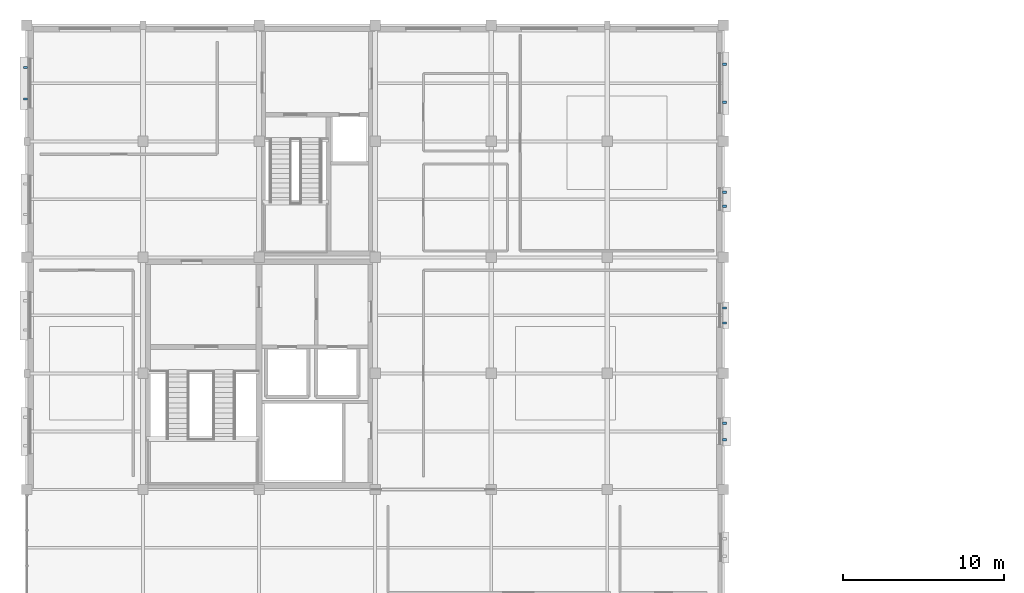
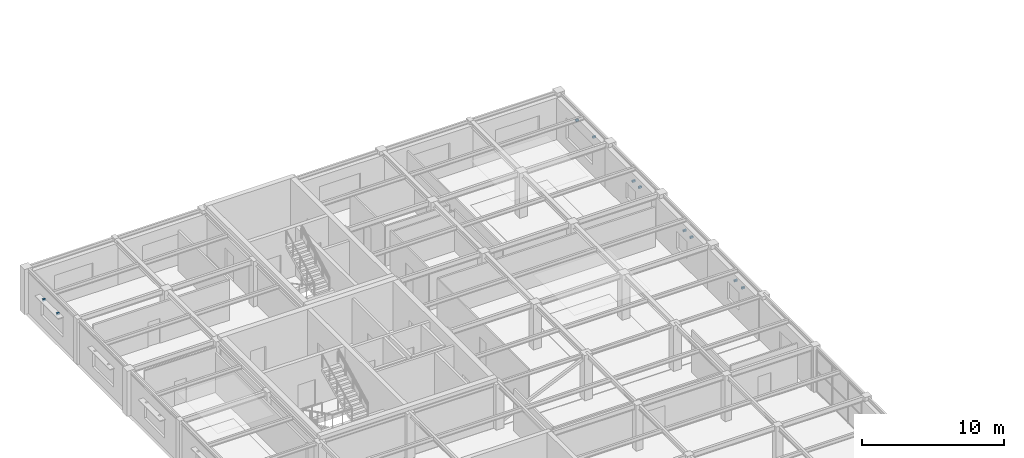
# One storey, part 74 of 83: 10 discrete accessories.
"""IFC4 building model written with IfcOpenShell, lengths in metres."""

from ifc_helpers import new_model, si_unit, direction, frame, origin, origin_2d, place, context, subcontext, project, spatial, rectangle, extrude, material, type_object, element, save


model = new_model("IFC4")

# Units and contexts
model_context = context("Model", 3, precision=1e-05, world=origin(), true_north=direction((0.0, 1.0)))
body_context = subcontext(model_context, "Body", "Model", "MODEL_VIEW")
ifc_project = project(units=[si_unit("LENGTHUNIT", "METRE"), si_unit("AREAUNIT", "SQUARE_METRE"), si_unit("VOLUMEUNIT", "CUBIC_METRE"), si_unit("PLANEANGLEUNIT", "RADIAN"), si_unit("MASSUNIT", "GRAM", prefix="KILO")], contexts=[model_context])

# Site, building, storey
site_placement = place(None, origin())
site = spatial("IfcSite", under=ifc_project, at=site_placement, CompositionType="ELEMENT")
building_placement = place(site_placement, origin())
building = spatial("IfcBuilding", under=site, at=building_placement, Name="Leyfeld Transit Interchange", CompositionType="ELEMENT")
storey_placement = place(building_placement, frame((0.0, 0.0, 5.39990234375)))
storey = spatial("IfcBuildingStorey", under=building, at=storey_placement, Name="L01", CompositionType="ELEMENT", Elevation=5.39990234375)

# Discrete accessories
ifc_material = material(Name="Galvanised steel S275JR", Category="steel")
discrete_accessory_type = type_object("IfcDiscreteAccessoryType", Name="ACC-BRK-STL", PredefinedType="BRACKET", material=ifc_material)
for number, where, z_axis, x_axis, name in (
    (1, (-0.080078125, 117.823974609375, 2.5302734375), (0.0, 0.0, 1.0), (0.0, 1.0, 0.0), "Solar Fin Bracket 015L"),
    (2, (-0.080078125, 119.77587890625, 2.5302734375), (0.0, 0.0, 1.0), (0.0, 1.0, 0.0), "Solar Fin Bracket 015R"),
    (3, (43.280029296875, 119.98388671875, 2.63037109375), (0.0, 0.0, 1.0), (0.0, -1.0, 0.0), "Solar Fin Bracket 016L"),
    (4, (43.280029296875, 117.615966796875, 2.63037109375), (0.0, 0.0, 1.0), (0.0, -1.0, 0.0), "Solar Fin Bracket 016R"),
    (5, (43.280029296875, 112.031982421875, 2.22998046875), (0.0, 0.0, 1.0), (0.0, -1.0, 0.0), "Solar Fin Bracket 017L"),
    (6, (43.280029296875, 111.16796875, 2.22998046875), (0.0, 0.0, 1.0), (0.0, -1.0, 0.0), "Solar Fin Bracket 017R"),
    (7, (43.280029296875, 104.864013671875, 2.330078125), (0.0, 0.0, 1.0), (0.0, -1.0, 0.0), "Solar Fin Bracket 018L"),
    (8, (43.280029296875, 103.93603515625, 2.330078125), (0.0, 0.0, 1.0), (0.0, -1.0, 0.0), "Solar Fin Bracket 018R"),
    (9, (43.280029296875, 97.7119140625, 2.38037109375), (0.0, 0.0, 1.0), (0.0, -1.0, 0.0), "Solar Fin Bracket 019L"),
    (10, (43.280029296875, 96.68798828125, 2.38037109375), (0.0, 0.0, 1.0), (0.0, -1.0, 0.0), "Solar Fin Bracket 019R"),
):
    element("IfcDiscreteAccessory", number, at=place(storey_placement, frame(where, z_axis=z_axis, x_axis=x_axis)), inside=storey, type_object=discrete_accessory_type, Name=name, PredefinedType="BRACKET", context=body_context, shape_type="SweptSolid", body=[
        extrude(rectangle(XDim=0.139892578125, YDim=0.239990234375, at=origin_2d()), origin(), (0.0, 0.0, 1.0), 0.159912109375),
    ])

save(model, "model.ifc")
